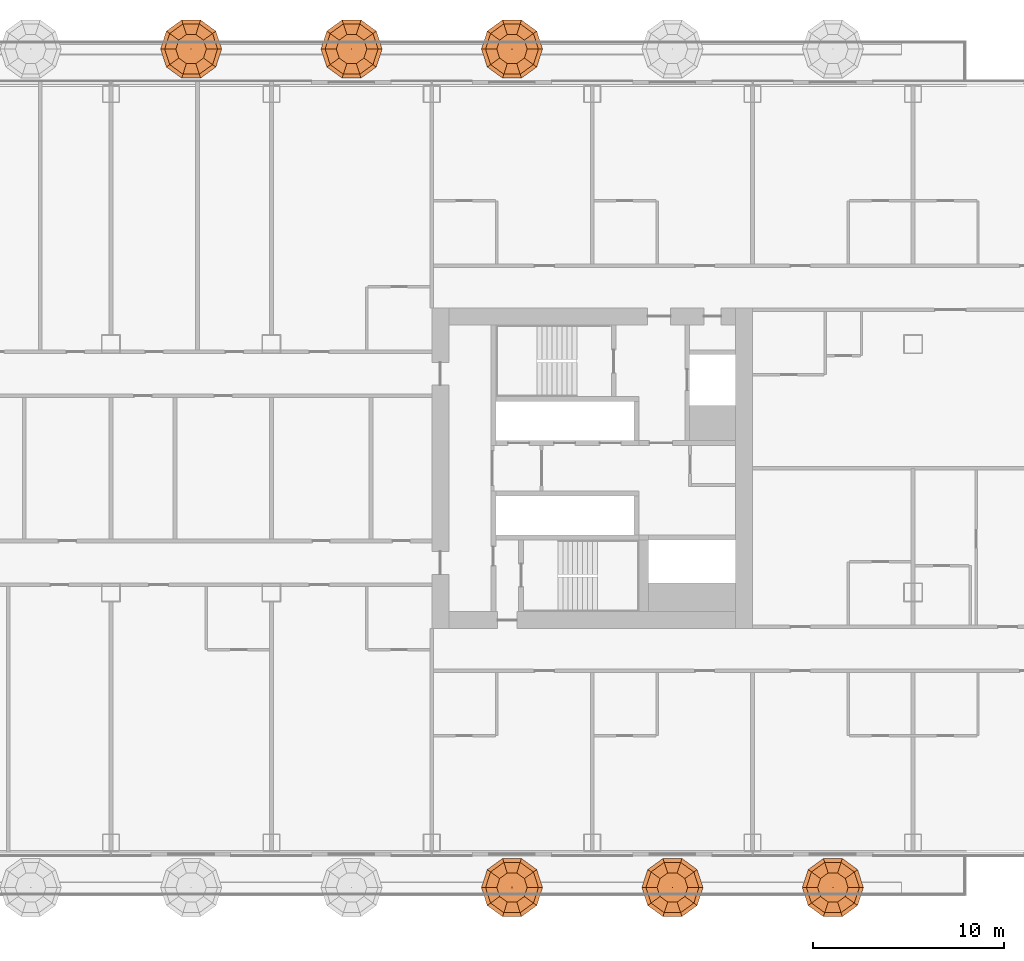
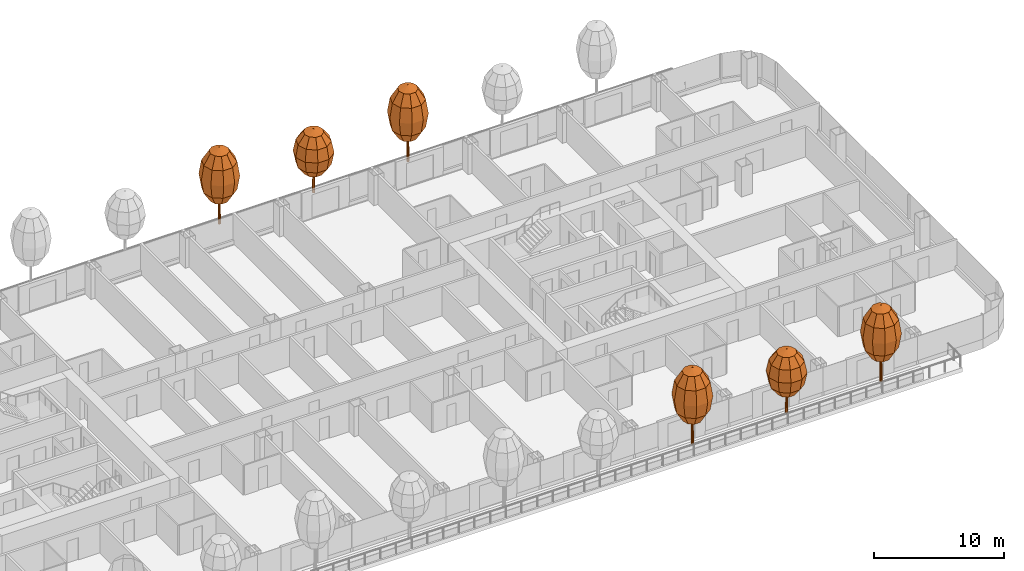
# One storey, part 34 of 35: 6 geographic elements.
"""IFC4 building model written with IfcOpenShell, lengths in metres."""

import ifcopenshell
import ifcopenshell.guid

model = None  # the IFC model being written
_history = None  # IfcOwnerHistory: only IFC2X3 demands one
_inside = {}  # id of a spatial element -> (the spatial element, [elements in it])
_under = {}  # id of a project, library or spatial element -> (it, [spatial elements below it])
_declared = {}  # id of a project -> (the project, [libraries it declares])
_typed = {}  # id of a type object -> (the type object, [elements of that type])
_made_of = {}  # id of a material, layer set ... -> (it, [elements and type objects made of it])


def new_model(schema):
    """Start an empty IFC model of exactly this schema.

    Asked for "IFC4X3", IfcOpenShell would pick the latest addendum, in which some entities
    have other attributes; the version numbers below select the first issue.
    IFC2X3 requires an IfcOwnerHistory on every rooted entity: one is made here for all.
    """
    global model, _history
    if schema == "IFC4X3":
        model = ifcopenshell.file(schema_version=(4, 3, 0, 0))
    else:
        model = ifcopenshell.file(schema=schema)
    _inside.clear()
    _under.clear()
    _declared.clear()
    _typed.clear()
    _made_of.clear()
    _history = None
    if model.schema == "IFC2X3":
        org = make("IfcOrganization", Name="unknown")
        user = make(
            "IfcPersonAndOrganization",
            ThePerson=make("IfcPerson", FamilyName="unknown"),
            TheOrganization=org,
        )
        app = make(
            "IfcApplication",
            ApplicationDeveloper=org,
            Version="unknown",
            ApplicationFullName="unknown",
            ApplicationIdentifier="unknown",
        )
        _history = make(
            "IfcOwnerHistory",
            OwningUser=user,
            OwningApplication=app,
            ChangeAction="ADDED",
            CreationDate=0,
        )
    return model


def make(cls, **values):
    """One entity of the class cls with the attributes given. An attribute that is None is left unset."""
    return model.create_entity(
        cls, **{name: value for name, value in values.items() if value is not None}
    )


def rooted(cls, **values):
    """An entity with a GlobalId (a new one), such as an element, a storey or a relation."""
    return make(cls, GlobalId=ifcopenshell.guid.new(), OwnerHistory=_history, **values)


def si_unit(unit_type, name, prefix=None):
    """IfcSIUnit, for example si_unit("LENGTHUNIT", "METRE", prefix="MILLI")."""
    return make("IfcSIUnit", UnitType=unit_type, Prefix=prefix, Name=name)


def assignment(units):
    """IfcUnitAssignment: the units of a project."""
    return None if units is None else make("IfcUnitAssignment", Units=units)


def point(xyz):
    """IfcCartesianPoint."""
    return None if xyz is None else make("IfcCartesianPoint", Coordinates=xyz)


def direction(xyz):
    """IfcDirection."""
    return None if xyz is None else make("IfcDirection", DirectionRatios=xyz)


def frame(location, z_axis=None, x_axis=None):
    """IfcAxis2Placement3D, a coordinate frame: its origin and axes. An axis left out is left unset."""
    return make(
        "IfcAxis2Placement3D",
        Location=point(location),
        Axis=direction(z_axis),
        RefDirection=direction(x_axis),
    )


def origin():
    """The frame at (0, 0, 0) with its axes left unset."""
    return frame((0.0, 0.0, 0.0))


def place(relative_to, where):
    """IfcLocalPlacement: puts the frame where relative to a parent placement (None: the world)."""
    return make(
        "IfcLocalPlacement", PlacementRelTo=relative_to, RelativePlacement=where
    )


def context(
    kind, dimensions, precision=None, world=None, true_north=None, identifier=None
):
    """IfcGeometricRepresentationContext, for example the 3D "Model" context."""
    return make(
        "IfcGeometricRepresentationContext",
        ContextIdentifier=identifier,
        ContextType=kind,
        CoordinateSpaceDimension=dimensions,
        Precision=precision,
        WorldCoordinateSystem=world,
        TrueNorth=true_north,
    )


def subcontext(parent, identifier, kind, view, scale=None):
    """IfcGeometricRepresentationSubContext, for example "Body" below "Model"."""
    return make(
        "IfcGeometricRepresentationSubContext",
        ContextIdentifier=identifier,
        ContextType=kind,
        ParentContext=parent,
        TargetScale=scale,
        TargetView=view,
    )


def project(units=None, contexts=None):
    """IfcProject with its units and contexts."""
    return rooted(
        "IfcProject",
        Name="project",
        RepresentationContexts=contexts,
        UnitsInContext=assignment(units),
    )


def spatial(cls, under=None, at=None, **own):
    """A site, building, storey or space (cls), placed at a placement, below another one or the project."""
    s = rooted(cls, ObjectPlacement=at, **own)
    if under is not None:
        _under.setdefault(under.id(), (under, []))[1].append(s)
    return s


def point_list(points):
    """IfcCartesianPointList2D or 3D."""
    cls = (
        "IfcCartesianPointList2D" if len(points[0]) == 2 else "IfcCartesianPointList3D"
    )
    return make(cls, CoordList=points)


def triangles(points, corners, closed=None, point_numbers=None):
    """IfcTriangulatedFaceSet: each triangle names its three corners, points numbered from 1."""
    return make(
        "IfcTriangulatedFaceSet",
        Coordinates=point_list(points),
        Closed=closed,
        CoordIndex=corners,
        PnIndex=point_numbers,
    )


def shape(context_of_items, identifier, shape_type, items):
    """IfcShapeRepresentation: the items that make up one representation, for example the "Body"."""
    return make(
        "IfcShapeRepresentation",
        ContextOfItems=context_of_items,
        RepresentationIdentifier=identifier,
        RepresentationType=shape_type,
        Items=items,
    )


def material(Name=None, Category=None):
    """IfcMaterial."""
    return make("IfcMaterial", Name=Name, Category=Category)


def made_of(thing, what):
    """Note that an element or type object is made of a material, layer set ...; save() writes the relation."""
    if what is not None:
        _made_of.setdefault(what.id(), (what, []))[1].append(thing)
    return thing


def type_object(cls, material=None, **own):
    """A type object (cls), such as IfcWallType, which elements share."""
    return made_of(rooted(cls, **own), material)


def element(
    cls,
    number,
    at=None,
    inside=None,
    cuts=None,
    type_object=None,
    material=None,
    context=None,
    identifier="Body",
    shape_type=None,
    held_by="IfcProductDefinitionShape",
    body=None,
    shapes=None,
    **own,
):
    """One element of the class cls, such as IfcWall. Its Tag is "e" and its number.

    at: its placement. inside: the storey or other place that contains it. cuts: it is an
    opening in that element (IfcRelVoidsElement). A single representation is given by context,
    identifier, shape_type and body (its items); several are given by shapes. held_by: the class
    of the entity that holds the representations. save() writes the other relations.
    """
    e = rooted(cls, Tag="e%d" % number, ObjectPlacement=at, **own)
    if body is not None:
        shapes = [shape(context, identifier, shape_type, body)]
    if shapes is not None:
        e.Representation = make(held_by, Representations=shapes)
    if inside is not None:
        _inside.setdefault(inside.id(), (inside, []))[1].append(e)
    if cuts is not None:
        rooted(
            "IfcRelVoidsElement", RelatingBuildingElement=cuts, RelatedOpeningElement=e
        )
    if type_object is not None:
        _typed.setdefault(type_object.id(), (type_object, []))[1].append(e)
    return made_of(e, material)


def aggregate(whole, parts):
    """IfcRelAggregates: a whole, such as a stair, and the parts it consists of."""
    return rooted("IfcRelAggregates", RelatingObject=whole, RelatedObjects=parts)


def save(model, path):
    """Write the relations noted so far, then the file.

    IfcRelAggregates (storeys below a building ...), IfcRelContainedInSpatialStructure (elements
    in a storey), IfcRelDefinesByType, IfcRelAssociatesMaterial and IfcRelDeclares: one each for
    every whole, place, type object, material and project.
    """
    for whole, parts in _under.values():
        aggregate(whole, parts)
    for where, things in _inside.values():
        rooted(
            "IfcRelContainedInSpatialStructure",
            RelatedElements=things,
            RelatingStructure=where,
        )
    for kind, things in _typed.values():
        rooted("IfcRelDefinesByType", RelatedObjects=things, RelatingType=kind)
    for what, things in _made_of.values():
        rooted("IfcRelAssociatesMaterial", RelatedObjects=things, RelatingMaterial=what)
    for by, libraries in _declared.values():
        rooted("IfcRelDeclares", RelatingContext=by, RelatedDefinitions=libraries)
    model.write(path)


model = new_model("IFC4")

# Units and contexts
model_context = context("Model", 3, precision=1e-05, world=origin(), true_north=direction((0.0, 1.0)))
body_context = subcontext(model_context, "Body", "Model", "MODEL_VIEW")
ifc_project = project(units=[si_unit("LENGTHUNIT", "METRE"), si_unit("AREAUNIT", "SQUARE_METRE"), si_unit("VOLUMEUNIT", "CUBIC_METRE"), si_unit("PLANEANGLEUNIT", "RADIAN"), si_unit("MASSUNIT", "GRAM", prefix="KILO")], contexts=[model_context])

# Site, building, storey
site_placement = place(None, origin())
site = spatial("IfcSite", under=ifc_project, at=site_placement, CompositionType="ELEMENT")
building_placement = place(site_placement, origin())
building = spatial("IfcBuilding", under=site, at=building_placement, Name="Hakoniwa Tower and Hamabe Station Hall", CompositionType="ELEMENT")
storey_placement = place(building_placement, frame((0.0, 0.0, 51.800048828125)))
storey = spatial("IfcBuildingStorey", under=building, at=storey_placement, Name="L14", CompositionType="ELEMENT", Elevation=51.800048828125)

# Geographic elements
ifc_material_1 = material(Name="Tree foliage")
geographic_element_type_1 = type_object("IfcGeographicElementType", Name="Japanese maple 7.2 m", PredefinedType="USERDEFINED", material=ifc_material_1)
geographic_element_1_placement = place(storey_placement, frame((4.199951171875, 21.949951171875, 0.89990234375)))
element("IfcGeographicElement", 1, at=geographic_element_1_placement, inside=storey, type_object=geographic_element_type_1, Name="Japanese maple 7-2 m", ObjectType="TREE", PredefinedType="USERDEFINED", context=body_context, shape_type="Tessellation", body=[
    triangles([(0.125, 0.0, 0.0), (0.08837890625, 0.08837890625, 0.0), (0.0, 0.125, 0.0), (-0.08837890625, 0.08837890625, 0.0), (-0.125, 0.0, 0.0), (-0.08837890625, -0.08837890625, 0.0), (0.0, -0.125, 0.0), (0.08837890625, -0.08837890625, 0.0), (0.074951171875, 0.0, 4.348876953125), (0.052978515625, 0.052978515625, 4.348876953125), (0.0, 0.074951171875, 4.348876953125), (-0.052978515625, 0.052978515625, 4.348876953125), (-0.074951171875, 0.0, 4.348876953125), (-0.052978515625, -0.052978515625, 4.348876953125), (0.0, -0.074951171875, 4.348876953125), (0.052978515625, -0.052978515625, 4.348876953125), (0.0, 0.0, 0.0), (0.0, 0.0, 4.348876953125)], [[1, 2, 10], [1, 10, 9], [17, 2, 1], [18, 9, 10], [2, 3, 11], [2, 11, 10], [17, 3, 2], [18, 10, 11], [3, 4, 12], [3, 12, 11], [17, 4, 3], [18, 11, 12], [4, 5, 13], [4, 13, 12], [17, 5, 4], [18, 12, 13], [5, 6, 14], [5, 14, 13], [17, 6, 5], [18, 13, 14], [6, 7, 15], [6, 15, 14], [17, 7, 6], [18, 14, 15], [7, 8, 16], [7, 16, 15], [17, 8, 7], [18, 15, 16], [8, 1, 9], [8, 9, 16], [17, 1, 8], [18, 16, 9]], closed=True),
    triangles([(0.0, 0.0, 2.015869140625), (0.800048828125, 0.0, 2.36328125), (0.647216796875, 0.47021484375, 2.36328125), (0.247314453125, 0.7607421875, 2.36328125), (-0.247314453125, 0.7607421875, 2.36328125), (-0.647216796875, 0.47021484375, 2.36328125), (-0.800048828125, 0.0, 2.36328125), (-0.647216796875, -0.47021484375, 2.36328125), (-0.247314453125, -0.7607421875, 2.36328125), (0.247314453125, -0.7607421875, 2.36328125), (0.647216796875, -0.47021484375, 2.36328125), (1.385498046875, 0.0, 3.31201171875), (1.12109375, 0.814453125, 3.31201171875), (0.42822265625, 1.31787109375, 3.31201171875), (-0.42822265625, 1.31787109375, 3.31201171875), (-1.12109375, 0.814453125, 3.31201171875), (-1.385498046875, 0.0, 3.31201171875), (-1.12109375, -0.814453125, 3.31201171875), (-0.42822265625, -1.31787109375, 3.31201171875), (0.42822265625, -1.31787109375, 3.31201171875), (1.12109375, -0.814453125, 3.31201171875), (1.60009765625, 0.0, 4.60791015625), (1.29443359375, 0.9404296875, 4.60791015625), (0.494384765625, 1.521728515625, 4.60791015625), (-0.494384765625, 1.521728515625, 4.60791015625), (-1.29443359375, 0.9404296875, 4.60791015625), (-1.60009765625, 0.0, 4.60791015625), (-1.29443359375, -0.9404296875, 4.60791015625), (-0.494384765625, -1.521728515625, 4.60791015625), (0.494384765625, -1.521728515625, 4.60791015625), (1.29443359375, -0.9404296875, 4.60791015625), (1.385498046875, 0.0, 5.904052734375), (1.12109375, 0.814453125, 5.904052734375), (0.42822265625, 1.31787109375, 5.904052734375), (-0.42822265625, 1.31787109375, 5.904052734375), (-1.12109375, 0.814453125, 5.904052734375), (-1.385498046875, 0.0, 5.904052734375), (-1.12109375, -0.814453125, 5.904052734375), (-0.42822265625, -1.31787109375, 5.904052734375), (0.42822265625, -1.31787109375, 5.904052734375), (1.12109375, -0.814453125, 5.904052734375), (0.800048828125, 0.0, 6.852783203125), (0.647216796875, 0.47021484375, 6.852783203125), (0.247314453125, 0.7607421875, 6.852783203125), (-0.247314453125, 0.7607421875, 6.852783203125), (-0.647216796875, 0.47021484375, 6.852783203125), (-0.800048828125, 0.0, 6.852783203125), (-0.647216796875, -0.47021484375, 6.852783203125), (-0.247314453125, -0.7607421875, 6.852783203125), (0.247314453125, -0.7607421875, 6.852783203125), (0.647216796875, -0.47021484375, 6.852783203125), (0.0, 0.0, 7.199951171875)], [[1, 3, 2], [1, 4, 3], [1, 5, 4], [1, 6, 5], [1, 7, 6], [1, 8, 7], [1, 9, 8], [1, 10, 9], [1, 11, 10], [1, 2, 11], [2, 3, 13], [2, 13, 12], [3, 4, 14], [3, 14, 13], [4, 5, 15], [4, 15, 14], [5, 6, 16], [5, 16, 15], [6, 7, 17], [6, 17, 16], [7, 8, 18], [7, 18, 17], [8, 9, 19], [8, 19, 18], [9, 10, 20], [9, 20, 19], [10, 11, 21], [10, 21, 20], [11, 2, 12], [11, 12, 21], [12, 13, 23], [12, 23, 22], [13, 14, 24], [13, 24, 23], [14, 15, 25], [14, 25, 24], [15, 16, 26], [15, 26, 25], [16, 17, 27], [16, 27, 26], [17, 18, 28], [17, 28, 27], [18, 19, 29], [18, 29, 28], [19, 20, 30], [19, 30, 29], [20, 21, 31], [20, 31, 30], [21, 12, 22], [21, 22, 31], [22, 23, 33], [22, 33, 32], [23, 24, 34], [23, 34, 33], [24, 25, 35], [24, 35, 34], [25, 26, 36], [25, 36, 35], [26, 27, 37], [26, 37, 36], [27, 28, 38], [27, 38, 37], [28, 29, 39], [28, 39, 38], [29, 30, 40], [29, 40, 39], [30, 31, 41], [30, 41, 40], [31, 22, 32], [31, 32, 41], [32, 33, 43], [32, 43, 42], [33, 34, 44], [33, 44, 43], [34, 35, 45], [34, 45, 44], [35, 36, 46], [35, 46, 45], [36, 37, 47], [36, 47, 46], [37, 38, 48], [37, 48, 47], [38, 39, 49], [38, 49, 48], [39, 40, 50], [39, 50, 49], [40, 41, 51], [40, 51, 50], [41, 32, 42], [41, 42, 51], [52, 42, 43], [52, 43, 44], [52, 44, 45], [52, 45, 46], [52, 46, 47], [52, 47, 48], [52, 48, 49], [52, 49, 50], [52, 50, 51], [52, 51, 42]], closed=True),
])
geographic_element_2_placement = place(storey_placement, frame((21.0, 21.949951171875, 0.89990234375)))
element("IfcGeographicElement", 2, at=geographic_element_2_placement, inside=storey, type_object=geographic_element_type_1, Name="Japanese maple 7-2 m", ObjectType="TREE", PredefinedType="USERDEFINED", context=body_context, shape_type="Tessellation", body=[
    triangles([(0.125, 0.0, 0.0), (0.08837890625, 0.08837890625, 0.0), (0.0, 0.125, 0.0), (-0.08837890625, 0.08837890625, 0.0), (-0.125, 0.0, 0.0), (-0.08837890625, -0.08837890625, 0.0), (0.0, -0.125, 0.0), (0.08837890625, -0.08837890625, 0.0), (0.074951171875, 0.0, 4.348876953125), (0.052978515625, 0.052978515625, 4.348876953125), (0.0, 0.074951171875, 4.348876953125), (-0.052978515625, 0.052978515625, 4.348876953125), (-0.074951171875, 0.0, 4.348876953125), (-0.052978515625, -0.052978515625, 4.348876953125), (0.0, -0.074951171875, 4.348876953125), (0.052978515625, -0.052978515625, 4.348876953125), (0.0, 0.0, 0.0), (0.0, 0.0, 4.348876953125)], [[1, 2, 10], [1, 10, 9], [17, 2, 1], [18, 9, 10], [2, 3, 11], [2, 11, 10], [17, 3, 2], [18, 10, 11], [3, 4, 12], [3, 12, 11], [17, 4, 3], [18, 11, 12], [4, 5, 13], [4, 13, 12], [17, 5, 4], [18, 12, 13], [5, 6, 14], [5, 14, 13], [17, 6, 5], [18, 13, 14], [6, 7, 15], [6, 15, 14], [17, 7, 6], [18, 14, 15], [7, 8, 16], [7, 16, 15], [17, 8, 7], [18, 15, 16], [8, 1, 9], [8, 9, 16], [17, 1, 8], [18, 16, 9]], closed=True),
    triangles([(0.0, 0.0, 2.015869140625), (0.800048828125, 0.0, 2.36328125), (0.647216796875, 0.47021484375, 2.36328125), (0.247314453125, 0.7607421875, 2.36328125), (-0.247314453125, 0.7607421875, 2.36328125), (-0.647216796875, 0.47021484375, 2.36328125), (-0.800048828125, 0.0, 2.36328125), (-0.647216796875, -0.47021484375, 2.36328125), (-0.247314453125, -0.7607421875, 2.36328125), (0.247314453125, -0.7607421875, 2.36328125), (0.647216796875, -0.47021484375, 2.36328125), (1.385498046875, 0.0, 3.31201171875), (1.12109375, 0.814453125, 3.31201171875), (0.42822265625, 1.31787109375, 3.31201171875), (-0.42822265625, 1.31787109375, 3.31201171875), (-1.12109375, 0.814453125, 3.31201171875), (-1.385498046875, 0.0, 3.31201171875), (-1.12109375, -0.814453125, 3.31201171875), (-0.42822265625, -1.31787109375, 3.31201171875), (0.42822265625, -1.31787109375, 3.31201171875), (1.12109375, -0.814453125, 3.31201171875), (1.60009765625, 0.0, 4.60791015625), (1.29443359375, 0.9404296875, 4.60791015625), (0.494384765625, 1.521728515625, 4.60791015625), (-0.494384765625, 1.521728515625, 4.60791015625), (-1.29443359375, 0.9404296875, 4.60791015625), (-1.60009765625, 0.0, 4.60791015625), (-1.29443359375, -0.9404296875, 4.60791015625), (-0.494384765625, -1.521728515625, 4.60791015625), (0.494384765625, -1.521728515625, 4.60791015625), (1.29443359375, -0.9404296875, 4.60791015625), (1.385498046875, 0.0, 5.904052734375), (1.12109375, 0.814453125, 5.904052734375), (0.42822265625, 1.31787109375, 5.904052734375), (-0.42822265625, 1.31787109375, 5.904052734375), (-1.12109375, 0.814453125, 5.904052734375), (-1.385498046875, 0.0, 5.904052734375), (-1.12109375, -0.814453125, 5.904052734375), (-0.42822265625, -1.31787109375, 5.904052734375), (0.42822265625, -1.31787109375, 5.904052734375), (1.12109375, -0.814453125, 5.904052734375), (0.800048828125, 0.0, 6.852783203125), (0.647216796875, 0.47021484375, 6.852783203125), (0.247314453125, 0.7607421875, 6.852783203125), (-0.247314453125, 0.7607421875, 6.852783203125), (-0.647216796875, 0.47021484375, 6.852783203125), (-0.800048828125, 0.0, 6.852783203125), (-0.647216796875, -0.47021484375, 6.852783203125), (-0.247314453125, -0.7607421875, 6.852783203125), (0.247314453125, -0.7607421875, 6.852783203125), (0.647216796875, -0.47021484375, 6.852783203125), (0.0, 0.0, 7.199951171875)], [[1, 3, 2], [1, 4, 3], [1, 5, 4], [1, 6, 5], [1, 7, 6], [1, 8, 7], [1, 9, 8], [1, 10, 9], [1, 11, 10], [1, 2, 11], [2, 3, 13], [2, 13, 12], [3, 4, 14], [3, 14, 13], [4, 5, 15], [4, 15, 14], [5, 6, 16], [5, 16, 15], [6, 7, 17], [6, 17, 16], [7, 8, 18], [7, 18, 17], [8, 9, 19], [8, 19, 18], [9, 10, 20], [9, 20, 19], [10, 11, 21], [10, 21, 20], [11, 2, 12], [11, 12, 21], [12, 13, 23], [12, 23, 22], [13, 14, 24], [13, 24, 23], [14, 15, 25], [14, 25, 24], [15, 16, 26], [15, 26, 25], [16, 17, 27], [16, 27, 26], [17, 18, 28], [17, 28, 27], [18, 19, 29], [18, 29, 28], [19, 20, 30], [19, 30, 29], [20, 21, 31], [20, 31, 30], [21, 12, 22], [21, 22, 31], [22, 23, 33], [22, 33, 32], [23, 24, 34], [23, 34, 33], [24, 25, 35], [24, 35, 34], [25, 26, 36], [25, 36, 35], [26, 27, 37], [26, 37, 36], [27, 28, 38], [27, 38, 37], [28, 29, 39], [28, 39, 38], [29, 30, 40], [29, 40, 39], [30, 31, 41], [30, 41, 40], [31, 22, 32], [31, 32, 41], [32, 33, 43], [32, 43, 42], [33, 34, 44], [33, 44, 43], [34, 35, 45], [34, 45, 44], [35, 36, 46], [35, 46, 45], [36, 37, 47], [36, 47, 46], [37, 38, 48], [37, 48, 47], [38, 39, 49], [38, 49, 48], [39, 40, 50], [39, 50, 49], [40, 41, 51], [40, 51, 50], [41, 32, 42], [41, 42, 51], [52, 42, 43], [52, 43, 44], [52, 44, 45], [52, 45, 46], [52, 46, 47], [52, 47, 48], [52, 48, 49], [52, 49, 50], [52, 50, 51], [52, 51, 42]], closed=True),
])
geographic_element_3_placement = place(storey_placement, frame((21.0, -21.949951171875, 0.89990234375)))
element("IfcGeographicElement", 3, at=geographic_element_3_placement, inside=storey, type_object=geographic_element_type_1, Name="Japanese maple 7-2 m", ObjectType="TREE", PredefinedType="USERDEFINED", context=body_context, shape_type="Tessellation", body=[
    triangles([(0.125, 0.0, 0.0), (0.08837890625, 0.08837890625, 0.0), (0.0, 0.125, 0.0), (-0.08837890625, 0.08837890625, 0.0), (-0.125, 0.0, 0.0), (-0.08837890625, -0.08837890625, 0.0), (0.0, -0.125, 0.0), (0.08837890625, -0.08837890625, 0.0), (0.074951171875, 0.0, 4.348876953125), (0.052978515625, 0.052978515625, 4.348876953125), (0.0, 0.074951171875, 4.348876953125), (-0.052978515625, 0.052978515625, 4.348876953125), (-0.074951171875, 0.0, 4.348876953125), (-0.052978515625, -0.052978515625, 4.348876953125), (0.0, -0.074951171875, 4.348876953125), (0.052978515625, -0.052978515625, 4.348876953125), (0.0, 0.0, 0.0), (0.0, 0.0, 4.348876953125)], [[1, 2, 10], [1, 10, 9], [17, 2, 1], [18, 9, 10], [2, 3, 11], [2, 11, 10], [17, 3, 2], [18, 10, 11], [3, 4, 12], [3, 12, 11], [17, 4, 3], [18, 11, 12], [4, 5, 13], [4, 13, 12], [17, 5, 4], [18, 12, 13], [5, 6, 14], [5, 14, 13], [17, 6, 5], [18, 13, 14], [6, 7, 15], [6, 15, 14], [17, 7, 6], [18, 14, 15], [7, 8, 16], [7, 16, 15], [17, 8, 7], [18, 15, 16], [8, 1, 9], [8, 9, 16], [17, 1, 8], [18, 16, 9]], closed=True),
    triangles([(0.0, 0.0, 2.015869140625), (0.800048828125, 0.0, 2.36328125), (0.647216796875, 0.47021484375, 2.36328125), (0.247314453125, 0.7607421875, 2.36328125), (-0.247314453125, 0.7607421875, 2.36328125), (-0.647216796875, 0.47021484375, 2.36328125), (-0.800048828125, 0.0, 2.36328125), (-0.647216796875, -0.47021484375, 2.36328125), (-0.247314453125, -0.7607421875, 2.36328125), (0.247314453125, -0.7607421875, 2.36328125), (0.647216796875, -0.47021484375, 2.36328125), (1.385498046875, 0.0, 3.31201171875), (1.12109375, 0.814453125, 3.31201171875), (0.42822265625, 1.31787109375, 3.31201171875), (-0.42822265625, 1.31787109375, 3.31201171875), (-1.12109375, 0.814453125, 3.31201171875), (-1.385498046875, 0.0, 3.31201171875), (-1.12109375, -0.814453125, 3.31201171875), (-0.42822265625, -1.31787109375, 3.31201171875), (0.42822265625, -1.31787109375, 3.31201171875), (1.12109375, -0.814453125, 3.31201171875), (1.60009765625, 0.0, 4.60791015625), (1.29443359375, 0.9404296875, 4.60791015625), (0.494384765625, 1.521728515625, 4.60791015625), (-0.494384765625, 1.521728515625, 4.60791015625), (-1.29443359375, 0.9404296875, 4.60791015625), (-1.60009765625, 0.0, 4.60791015625), (-1.29443359375, -0.9404296875, 4.60791015625), (-0.494384765625, -1.521728515625, 4.60791015625), (0.494384765625, -1.521728515625, 4.60791015625), (1.29443359375, -0.9404296875, 4.60791015625), (1.385498046875, 0.0, 5.904052734375), (1.12109375, 0.814453125, 5.904052734375), (0.42822265625, 1.31787109375, 5.904052734375), (-0.42822265625, 1.31787109375, 5.904052734375), (-1.12109375, 0.814453125, 5.904052734375), (-1.385498046875, 0.0, 5.904052734375), (-1.12109375, -0.814453125, 5.904052734375), (-0.42822265625, -1.31787109375, 5.904052734375), (0.42822265625, -1.31787109375, 5.904052734375), (1.12109375, -0.814453125, 5.904052734375), (0.800048828125, 0.0, 6.852783203125), (0.647216796875, 0.47021484375, 6.852783203125), (0.247314453125, 0.7607421875, 6.852783203125), (-0.247314453125, 0.7607421875, 6.852783203125), (-0.647216796875, 0.47021484375, 6.852783203125), (-0.800048828125, 0.0, 6.852783203125), (-0.647216796875, -0.47021484375, 6.852783203125), (-0.247314453125, -0.7607421875, 6.852783203125), (0.247314453125, -0.7607421875, 6.852783203125), (0.647216796875, -0.47021484375, 6.852783203125), (0.0, 0.0, 7.199951171875)], [[1, 3, 2], [1, 4, 3], [1, 5, 4], [1, 6, 5], [1, 7, 6], [1, 8, 7], [1, 9, 8], [1, 10, 9], [1, 11, 10], [1, 2, 11], [2, 3, 13], [2, 13, 12], [3, 4, 14], [3, 14, 13], [4, 5, 15], [4, 15, 14], [5, 6, 16], [5, 16, 15], [6, 7, 17], [6, 17, 16], [7, 8, 18], [7, 18, 17], [8, 9, 19], [8, 19, 18], [9, 10, 20], [9, 20, 19], [10, 11, 21], [10, 21, 20], [11, 2, 12], [11, 12, 21], [12, 13, 23], [12, 23, 22], [13, 14, 24], [13, 24, 23], [14, 15, 25], [14, 25, 24], [15, 16, 26], [15, 26, 25], [16, 17, 27], [16, 27, 26], [17, 18, 28], [17, 28, 27], [18, 19, 29], [18, 29, 28], [19, 20, 30], [19, 30, 29], [20, 21, 31], [20, 31, 30], [21, 12, 22], [21, 22, 31], [22, 23, 33], [22, 33, 32], [23, 24, 34], [23, 34, 33], [24, 25, 35], [24, 35, 34], [25, 26, 36], [25, 36, 35], [26, 27, 37], [26, 37, 36], [27, 28, 38], [27, 38, 37], [28, 29, 39], [28, 39, 38], [29, 30, 40], [29, 40, 39], [30, 31, 41], [30, 41, 40], [31, 22, 32], [31, 32, 41], [32, 33, 43], [32, 43, 42], [33, 34, 44], [33, 44, 43], [34, 35, 45], [34, 45, 44], [35, 36, 46], [35, 46, 45], [36, 37, 47], [36, 47, 46], [37, 38, 48], [37, 48, 47], [38, 39, 49], [38, 49, 48], [39, 40, 50], [39, 50, 49], [40, 41, 51], [40, 51, 50], [41, 32, 42], [41, 42, 51], [52, 42, 43], [52, 43, 44], [52, 44, 45], [52, 45, 46], [52, 46, 47], [52, 47, 48], [52, 48, 49], [52, 49, 50], [52, 50, 51], [52, 51, 42]], closed=True),
])
geographic_element_4_placement = place(storey_placement, frame((37.800048828125, -21.949951171875, 0.89990234375)))
element("IfcGeographicElement", 4, at=geographic_element_4_placement, inside=storey, type_object=geographic_element_type_1, Name="Japanese maple 7-2 m", ObjectType="TREE", PredefinedType="USERDEFINED", context=body_context, shape_type="Tessellation", body=[
    triangles([(0.125, 0.0, 0.0), (0.08837890625, 0.08837890625, 0.0), (0.0, 0.125, 0.0), (-0.08837890625, 0.08837890625, 0.0), (-0.125, 0.0, 0.0), (-0.08837890625, -0.08837890625, 0.0), (0.0, -0.125, 0.0), (0.08837890625, -0.08837890625, 0.0), (0.074951171875, 0.0, 4.348876953125), (0.052978515625, 0.052978515625, 4.348876953125), (0.0, 0.074951171875, 4.348876953125), (-0.052978515625, 0.052978515625, 4.348876953125), (-0.074951171875, 0.0, 4.348876953125), (-0.052978515625, -0.052978515625, 4.348876953125), (0.0, -0.074951171875, 4.348876953125), (0.052978515625, -0.052978515625, 4.348876953125), (0.0, 0.0, 0.0), (0.0, 0.0, 4.348876953125)], [[1, 2, 10], [1, 10, 9], [17, 2, 1], [18, 9, 10], [2, 3, 11], [2, 11, 10], [17, 3, 2], [18, 10, 11], [3, 4, 12], [3, 12, 11], [17, 4, 3], [18, 11, 12], [4, 5, 13], [4, 13, 12], [17, 5, 4], [18, 12, 13], [5, 6, 14], [5, 14, 13], [17, 6, 5], [18, 13, 14], [6, 7, 15], [6, 15, 14], [17, 7, 6], [18, 14, 15], [7, 8, 16], [7, 16, 15], [17, 8, 7], [18, 15, 16], [8, 1, 9], [8, 9, 16], [17, 1, 8], [18, 16, 9]], closed=True),
    triangles([(0.0, 0.0, 2.015869140625), (0.800048828125, 0.0, 2.36328125), (0.647216796875, 0.47021484375, 2.36328125), (0.247314453125, 0.7607421875, 2.36328125), (-0.247314453125, 0.7607421875, 2.36328125), (-0.647216796875, 0.47021484375, 2.36328125), (-0.800048828125, 0.0, 2.36328125), (-0.647216796875, -0.47021484375, 2.36328125), (-0.247314453125, -0.7607421875, 2.36328125), (0.247314453125, -0.7607421875, 2.36328125), (0.647216796875, -0.47021484375, 2.36328125), (1.385498046875, 0.0, 3.31201171875), (1.12109375, 0.814453125, 3.31201171875), (0.42822265625, 1.31787109375, 3.31201171875), (-0.42822265625, 1.31787109375, 3.31201171875), (-1.12109375, 0.814453125, 3.31201171875), (-1.385498046875, 0.0, 3.31201171875), (-1.12109375, -0.814453125, 3.31201171875), (-0.42822265625, -1.31787109375, 3.31201171875), (0.42822265625, -1.31787109375, 3.31201171875), (1.12109375, -0.814453125, 3.31201171875), (1.60009765625, 0.0, 4.60791015625), (1.29443359375, 0.9404296875, 4.60791015625), (0.494384765625, 1.521728515625, 4.60791015625), (-0.494384765625, 1.521728515625, 4.60791015625), (-1.29443359375, 0.9404296875, 4.60791015625), (-1.60009765625, 0.0, 4.60791015625), (-1.29443359375, -0.9404296875, 4.60791015625), (-0.494384765625, -1.521728515625, 4.60791015625), (0.494384765625, -1.521728515625, 4.60791015625), (1.29443359375, -0.9404296875, 4.60791015625), (1.385498046875, 0.0, 5.904052734375), (1.12109375, 0.814453125, 5.904052734375), (0.42822265625, 1.31787109375, 5.904052734375), (-0.42822265625, 1.31787109375, 5.904052734375), (-1.12109375, 0.814453125, 5.904052734375), (-1.385498046875, 0.0, 5.904052734375), (-1.12109375, -0.814453125, 5.904052734375), (-0.42822265625, -1.31787109375, 5.904052734375), (0.42822265625, -1.31787109375, 5.904052734375), (1.12109375, -0.814453125, 5.904052734375), (0.800048828125, 0.0, 6.852783203125), (0.647216796875, 0.47021484375, 6.852783203125), (0.247314453125, 0.7607421875, 6.852783203125), (-0.247314453125, 0.7607421875, 6.852783203125), (-0.647216796875, 0.47021484375, 6.852783203125), (-0.800048828125, 0.0, 6.852783203125), (-0.647216796875, -0.47021484375, 6.852783203125), (-0.247314453125, -0.7607421875, 6.852783203125), (0.247314453125, -0.7607421875, 6.852783203125), (0.647216796875, -0.47021484375, 6.852783203125), (0.0, 0.0, 7.199951171875)], [[1, 3, 2], [1, 4, 3], [1, 5, 4], [1, 6, 5], [1, 7, 6], [1, 8, 7], [1, 9, 8], [1, 10, 9], [1, 11, 10], [1, 2, 11], [2, 3, 13], [2, 13, 12], [3, 4, 14], [3, 14, 13], [4, 5, 15], [4, 15, 14], [5, 6, 16], [5, 16, 15], [6, 7, 17], [6, 17, 16], [7, 8, 18], [7, 18, 17], [8, 9, 19], [8, 19, 18], [9, 10, 20], [9, 20, 19], [10, 11, 21], [10, 21, 20], [11, 2, 12], [11, 12, 21], [12, 13, 23], [12, 23, 22], [13, 14, 24], [13, 24, 23], [14, 15, 25], [14, 25, 24], [15, 16, 26], [15, 26, 25], [16, 17, 27], [16, 27, 26], [17, 18, 28], [17, 28, 27], [18, 19, 29], [18, 29, 28], [19, 20, 30], [19, 30, 29], [20, 21, 31], [20, 31, 30], [21, 12, 22], [21, 22, 31], [22, 23, 33], [22, 33, 32], [23, 24, 34], [23, 34, 33], [24, 25, 35], [24, 35, 34], [25, 26, 36], [25, 36, 35], [26, 27, 37], [26, 37, 36], [27, 28, 38], [27, 38, 37], [28, 29, 39], [28, 39, 38], [29, 30, 40], [29, 40, 39], [30, 31, 41], [30, 41, 40], [31, 22, 32], [31, 32, 41], [32, 33, 43], [32, 43, 42], [33, 34, 44], [33, 44, 43], [34, 35, 45], [34, 45, 44], [35, 36, 46], [35, 46, 45], [36, 37, 47], [36, 47, 46], [37, 38, 48], [37, 48, 47], [38, 39, 49], [38, 49, 48], [39, 40, 50], [39, 50, 49], [40, 41, 51], [40, 51, 50], [41, 32, 42], [41, 42, 51], [52, 42, 43], [52, 43, 44], [52, 44, 45], [52, 45, 46], [52, 46, 47], [52, 47, 48], [52, 48, 49], [52, 49, 50], [52, 50, 51], [52, 51, 42]], closed=True),
])
ifc_material_2 = material(Name="Tree foliage")
geographic_element_type_2 = type_object("IfcGeographicElementType", Name="Osmanthus 6.0 m", PredefinedType="USERDEFINED", material=ifc_material_2)
geographic_element_5_placement = place(storey_placement, frame((12.60009765625, 21.949951171875, 0.89990234375)))
element("IfcGeographicElement", 5, at=geographic_element_5_placement, inside=storey, type_object=geographic_element_type_2, Name="Osmanthus 6-0 m", ObjectType="TREE", PredefinedType="USERDEFINED", context=body_context, shape_type="Tessellation", body=[
    triangles([(0.125, 0.0, 0.0), (0.08837890625, 0.08837890625, 0.0), (0.0, 0.125, 0.0), (-0.08837890625, 0.08837890625, 0.0), (-0.125, 0.0, 0.0), (-0.08837890625, -0.08837890625, 0.0), (0.0, -0.125, 0.0), (0.08837890625, -0.08837890625, 0.0), (0.074951171875, 0.0, 3.6240234375), (0.052978515625, 0.052978515625, 3.6240234375), (0.0, 0.074951171875, 3.6240234375), (-0.052978515625, 0.052978515625, 3.6240234375), (-0.074951171875, 0.0, 3.6240234375), (-0.052978515625, -0.052978515625, 3.6240234375), (0.0, -0.074951171875, 3.6240234375), (0.052978515625, -0.052978515625, 3.6240234375), (0.0, 0.0, 0.0), (0.0, 0.0, 3.6240234375)], [[1, 2, 10], [1, 10, 9], [17, 2, 1], [18, 9, 10], [2, 3, 11], [2, 11, 10], [17, 3, 2], [18, 10, 11], [3, 4, 12], [3, 12, 11], [17, 4, 3], [18, 11, 12], [4, 5, 13], [4, 13, 12], [17, 5, 4], [18, 12, 13], [5, 6, 14], [5, 14, 13], [17, 6, 5], [18, 13, 14], [6, 7, 15], [6, 15, 14], [17, 7, 6], [18, 14, 15], [7, 8, 16], [7, 16, 15], [17, 8, 7], [18, 15, 16], [8, 1, 9], [8, 9, 16], [17, 1, 8], [18, 16, 9]], closed=True),
    triangles([(0.0, 0.0, 1.679931640625), (0.800048828125, 0.0, 1.969482421875), (0.647216796875, 0.47021484375, 1.969482421875), (0.247314453125, 0.7607421875, 1.969482421875), (-0.247314453125, 0.7607421875, 1.969482421875), (-0.647216796875, 0.47021484375, 1.969482421875), (-0.800048828125, 0.0, 1.969482421875), (-0.647216796875, -0.47021484375, 1.969482421875), (-0.247314453125, -0.7607421875, 1.969482421875), (0.247314453125, -0.7607421875, 1.969482421875), (0.647216796875, -0.47021484375, 1.969482421875), (1.385498046875, 0.0, 2.760009765625), (1.12109375, 0.814453125, 2.760009765625), (0.42822265625, 1.31787109375, 2.760009765625), (-0.42822265625, 1.31787109375, 2.760009765625), (-1.12109375, 0.814453125, 2.760009765625), (-1.385498046875, 0.0, 2.760009765625), (-1.12109375, -0.814453125, 2.760009765625), (-0.42822265625, -1.31787109375, 2.760009765625), (0.42822265625, -1.31787109375, 2.760009765625), (1.12109375, -0.814453125, 2.760009765625), (1.60009765625, 0.0, 3.840087890625), (1.29443359375, 0.9404296875, 3.840087890625), (0.494384765625, 1.521728515625, 3.840087890625), (-0.494384765625, 1.521728515625, 3.840087890625), (-1.29443359375, 0.9404296875, 3.840087890625), (-1.60009765625, 0.0, 3.840087890625), (-1.29443359375, -0.9404296875, 3.840087890625), (-0.494384765625, -1.521728515625, 3.840087890625), (0.494384765625, -1.521728515625, 3.840087890625), (1.29443359375, -0.9404296875, 3.840087890625), (1.385498046875, 0.0, 4.919921875), (1.12109375, 0.814453125, 4.919921875), (0.42822265625, 1.31787109375, 4.919921875), (-0.42822265625, 1.31787109375, 4.919921875), (-1.12109375, 0.814453125, 4.919921875), (-1.385498046875, 0.0, 4.919921875), (-1.12109375, -0.814453125, 4.919921875), (-0.42822265625, -1.31787109375, 4.919921875), (0.42822265625, -1.31787109375, 4.919921875), (1.12109375, -0.814453125, 4.919921875), (0.800048828125, 0.0, 5.710693359375), (0.647216796875, 0.47021484375, 5.710693359375), (0.247314453125, 0.7607421875, 5.710693359375), (-0.247314453125, 0.7607421875, 5.710693359375), (-0.647216796875, 0.47021484375, 5.710693359375), (-0.800048828125, 0.0, 5.710693359375), (-0.647216796875, -0.47021484375, 5.710693359375), (-0.247314453125, -0.7607421875, 5.710693359375), (0.247314453125, -0.7607421875, 5.710693359375), (0.647216796875, -0.47021484375, 5.710693359375), (0.0, 0.0, 6.0)], [[1, 3, 2], [1, 4, 3], [1, 5, 4], [1, 6, 5], [1, 7, 6], [1, 8, 7], [1, 9, 8], [1, 10, 9], [1, 11, 10], [1, 2, 11], [2, 3, 13], [2, 13, 12], [3, 4, 14], [3, 14, 13], [4, 5, 15], [4, 15, 14], [5, 6, 16], [5, 16, 15], [6, 7, 17], [6, 17, 16], [7, 8, 18], [7, 18, 17], [8, 9, 19], [8, 19, 18], [9, 10, 20], [9, 20, 19], [10, 11, 21], [10, 21, 20], [11, 2, 12], [11, 12, 21], [12, 13, 23], [12, 23, 22], [13, 14, 24], [13, 24, 23], [14, 15, 25], [14, 25, 24], [15, 16, 26], [15, 26, 25], [16, 17, 27], [16, 27, 26], [17, 18, 28], [17, 28, 27], [18, 19, 29], [18, 29, 28], [19, 20, 30], [19, 30, 29], [20, 21, 31], [20, 31, 30], [21, 12, 22], [21, 22, 31], [22, 23, 33], [22, 33, 32], [23, 24, 34], [23, 34, 33], [24, 25, 35], [24, 35, 34], [25, 26, 36], [25, 36, 35], [26, 27, 37], [26, 37, 36], [27, 28, 38], [27, 38, 37], [28, 29, 39], [28, 39, 38], [29, 30, 40], [29, 40, 39], [30, 31, 41], [30, 41, 40], [31, 22, 32], [31, 32, 41], [32, 33, 43], [32, 43, 42], [33, 34, 44], [33, 44, 43], [34, 35, 45], [34, 45, 44], [35, 36, 46], [35, 46, 45], [36, 37, 47], [36, 47, 46], [37, 38, 48], [37, 48, 47], [38, 39, 49], [38, 49, 48], [39, 40, 50], [39, 50, 49], [40, 41, 51], [40, 51, 50], [41, 32, 42], [41, 42, 51], [52, 42, 43], [52, 43, 44], [52, 44, 45], [52, 45, 46], [52, 46, 47], [52, 47, 48], [52, 48, 49], [52, 49, 50], [52, 50, 51], [52, 51, 42]], closed=True),
])
geographic_element_6_placement = place(storey_placement, frame((29.39990234375, -21.949951171875, 0.89990234375)))
element("IfcGeographicElement", 6, at=geographic_element_6_placement, inside=storey, type_object=geographic_element_type_2, Name="Osmanthus 6-0 m", ObjectType="TREE", PredefinedType="USERDEFINED", context=body_context, shape_type="Tessellation", body=[
    triangles([(0.125, 0.0, 0.0), (0.08837890625, 0.08837890625, 0.0), (0.0, 0.125, 0.0), (-0.08837890625, 0.08837890625, 0.0), (-0.125, 0.0, 0.0), (-0.08837890625, -0.08837890625, 0.0), (0.0, -0.125, 0.0), (0.08837890625, -0.08837890625, 0.0), (0.074951171875, 0.0, 3.6240234375), (0.052978515625, 0.052978515625, 3.6240234375), (0.0, 0.074951171875, 3.6240234375), (-0.052978515625, 0.052978515625, 3.6240234375), (-0.074951171875, 0.0, 3.6240234375), (-0.052978515625, -0.052978515625, 3.6240234375), (0.0, -0.074951171875, 3.6240234375), (0.052978515625, -0.052978515625, 3.6240234375), (0.0, 0.0, 0.0), (0.0, 0.0, 3.6240234375)], [[1, 2, 10], [1, 10, 9], [17, 2, 1], [18, 9, 10], [2, 3, 11], [2, 11, 10], [17, 3, 2], [18, 10, 11], [3, 4, 12], [3, 12, 11], [17, 4, 3], [18, 11, 12], [4, 5, 13], [4, 13, 12], [17, 5, 4], [18, 12, 13], [5, 6, 14], [5, 14, 13], [17, 6, 5], [18, 13, 14], [6, 7, 15], [6, 15, 14], [17, 7, 6], [18, 14, 15], [7, 8, 16], [7, 16, 15], [17, 8, 7], [18, 15, 16], [8, 1, 9], [8, 9, 16], [17, 1, 8], [18, 16, 9]], closed=True),
    triangles([(0.0, 0.0, 1.679931640625), (0.800048828125, 0.0, 1.969482421875), (0.647216796875, 0.47021484375, 1.969482421875), (0.247314453125, 0.7607421875, 1.969482421875), (-0.247314453125, 0.7607421875, 1.969482421875), (-0.647216796875, 0.47021484375, 1.969482421875), (-0.800048828125, 0.0, 1.969482421875), (-0.647216796875, -0.47021484375, 1.969482421875), (-0.247314453125, -0.7607421875, 1.969482421875), (0.247314453125, -0.7607421875, 1.969482421875), (0.647216796875, -0.47021484375, 1.969482421875), (1.385498046875, 0.0, 2.760009765625), (1.12109375, 0.814453125, 2.760009765625), (0.42822265625, 1.31787109375, 2.760009765625), (-0.42822265625, 1.31787109375, 2.760009765625), (-1.12109375, 0.814453125, 2.760009765625), (-1.385498046875, 0.0, 2.760009765625), (-1.12109375, -0.814453125, 2.760009765625), (-0.42822265625, -1.31787109375, 2.760009765625), (0.42822265625, -1.31787109375, 2.760009765625), (1.12109375, -0.814453125, 2.760009765625), (1.60009765625, 0.0, 3.840087890625), (1.29443359375, 0.9404296875, 3.840087890625), (0.494384765625, 1.521728515625, 3.840087890625), (-0.494384765625, 1.521728515625, 3.840087890625), (-1.29443359375, 0.9404296875, 3.840087890625), (-1.60009765625, 0.0, 3.840087890625), (-1.29443359375, -0.9404296875, 3.840087890625), (-0.494384765625, -1.521728515625, 3.840087890625), (0.494384765625, -1.521728515625, 3.840087890625), (1.29443359375, -0.9404296875, 3.840087890625), (1.385498046875, 0.0, 4.919921875), (1.12109375, 0.814453125, 4.919921875), (0.42822265625, 1.31787109375, 4.919921875), (-0.42822265625, 1.31787109375, 4.919921875), (-1.12109375, 0.814453125, 4.919921875), (-1.385498046875, 0.0, 4.919921875), (-1.12109375, -0.814453125, 4.919921875), (-0.42822265625, -1.31787109375, 4.919921875), (0.42822265625, -1.31787109375, 4.919921875), (1.12109375, -0.814453125, 4.919921875), (0.800048828125, 0.0, 5.710693359375), (0.647216796875, 0.47021484375, 5.710693359375), (0.247314453125, 0.7607421875, 5.710693359375), (-0.247314453125, 0.7607421875, 5.710693359375), (-0.647216796875, 0.47021484375, 5.710693359375), (-0.800048828125, 0.0, 5.710693359375), (-0.647216796875, -0.47021484375, 5.710693359375), (-0.247314453125, -0.7607421875, 5.710693359375), (0.247314453125, -0.7607421875, 5.710693359375), (0.647216796875, -0.47021484375, 5.710693359375), (0.0, 0.0, 6.0)], [[1, 3, 2], [1, 4, 3], [1, 5, 4], [1, 6, 5], [1, 7, 6], [1, 8, 7], [1, 9, 8], [1, 10, 9], [1, 11, 10], [1, 2, 11], [2, 3, 13], [2, 13, 12], [3, 4, 14], [3, 14, 13], [4, 5, 15], [4, 15, 14], [5, 6, 16], [5, 16, 15], [6, 7, 17], [6, 17, 16], [7, 8, 18], [7, 18, 17], [8, 9, 19], [8, 19, 18], [9, 10, 20], [9, 20, 19], [10, 11, 21], [10, 21, 20], [11, 2, 12], [11, 12, 21], [12, 13, 23], [12, 23, 22], [13, 14, 24], [13, 24, 23], [14, 15, 25], [14, 25, 24], [15, 16, 26], [15, 26, 25], [16, 17, 27], [16, 27, 26], [17, 18, 28], [17, 28, 27], [18, 19, 29], [18, 29, 28], [19, 20, 30], [19, 30, 29], [20, 21, 31], [20, 31, 30], [21, 12, 22], [21, 22, 31], [22, 23, 33], [22, 33, 32], [23, 24, 34], [23, 34, 33], [24, 25, 35], [24, 35, 34], [25, 26, 36], [25, 36, 35], [26, 27, 37], [26, 37, 36], [27, 28, 38], [27, 38, 37], [28, 29, 39], [28, 39, 38], [29, 30, 40], [29, 40, 39], [30, 31, 41], [30, 41, 40], [31, 22, 32], [31, 32, 41], [32, 33, 43], [32, 43, 42], [33, 34, 44], [33, 44, 43], [34, 35, 45], [34, 45, 44], [35, 36, 46], [35, 46, 45], [36, 37, 47], [36, 47, 46], [37, 38, 48], [37, 48, 47], [38, 39, 49], [38, 49, 48], [39, 40, 50], [39, 50, 49], [40, 41, 51], [40, 51, 50], [41, 32, 42], [41, 42, 51], [52, 42, 43], [52, 43, 44], [52, 44, 45], [52, 45, 46], [52, 46, 47], [52, 47, 48], [52, 48, 49], [52, 49, 50], [52, 50, 51], [52, 51, 42]], closed=True),
])

save(model, "model.ifc")
